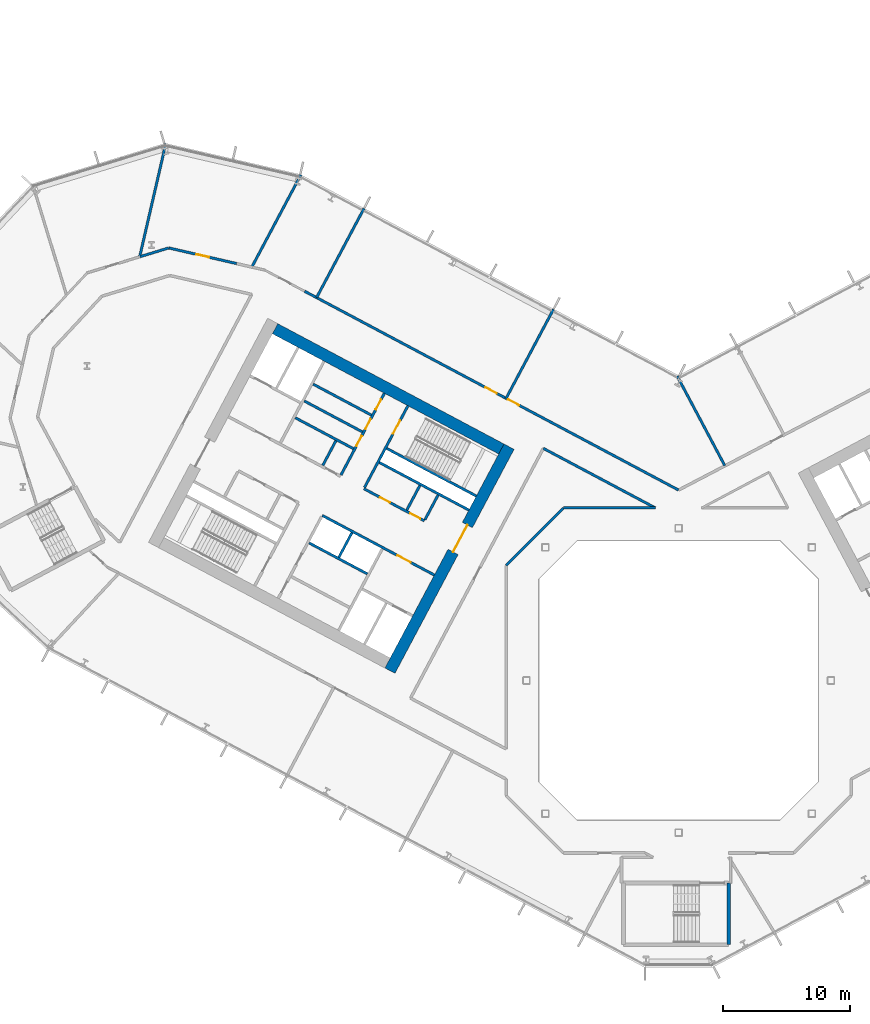
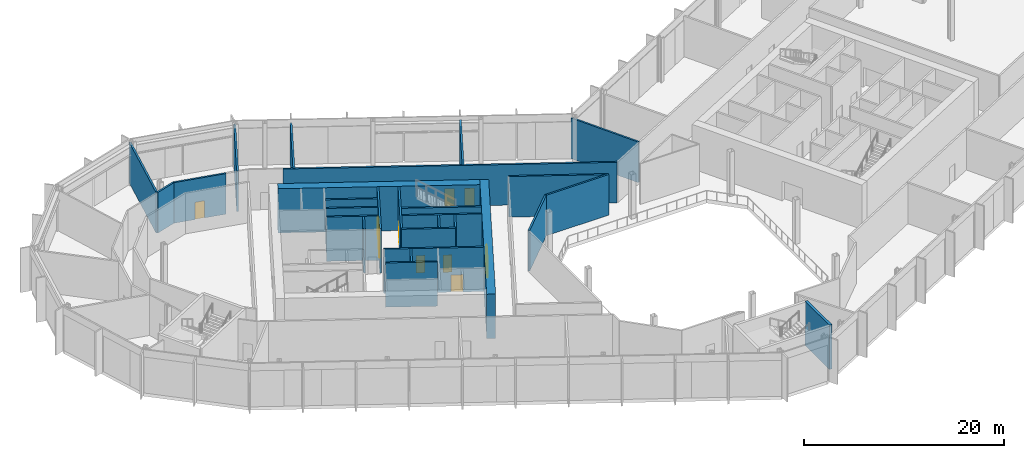
# One storey, part 14 of 31: 28 walls, 11 doors, 11 openings.
"""IFC4 building model written with IfcOpenShell, lengths in metres."""

from ifc_helpers import new_model, si_unit, direction, frame, frame_2d, origin, place, context, subcontext, project, spatial, rectangle, extrude, material, layer, layer_set, type_object, element, fill, save


model = new_model("IFC4")

# Units and contexts
model_context = context("Model", 3, precision=1e-05, world=origin(), true_north=direction((0.0, 1.0)))
body_context = subcontext(model_context, "Body", "Model", "MODEL_VIEW")
ifc_project = project(units=[si_unit("LENGTHUNIT", "METRE"), si_unit("AREAUNIT", "SQUARE_METRE"), si_unit("VOLUMEUNIT", "CUBIC_METRE"), si_unit("PLANEANGLEUNIT", "RADIAN"), si_unit("MASSUNIT", "GRAM", prefix="KILO")], contexts=[model_context])

# Site, building, storey
site_placement = place(None, origin())
site = spatial("IfcSite", under=ifc_project, at=site_placement, CompositionType="ELEMENT")
building_placement = place(site_placement, origin())
building = spatial("IfcBuilding", under=site, at=building_placement, Name="Cormorant Relay Tower", CompositionType="ELEMENT")
storey_placement = place(building_placement, frame((0.0, 0.0, 12.199951171875)))
storey = spatial("IfcBuildingStorey", under=building, at=storey_placement, Name="L02", CompositionType="ELEMENT", Elevation=12.199951171875)

# Walls
ifc_material_1 = material(Name="Concrete 40 MPa", Category="concrete")
ifc_layer_1 = layer(ifc_material_1, 0.199951171875)
ifc_layer_set_1 = layer_set([ifc_layer_1], Name="Core internal wall 200")
wall_type_1 = type_object("IfcWallType", Name="Core internal wall 200", PredefinedType="SOLIDWALL", material=ifc_layer_set_1)
wall_1_placement = place(storey_placement, frame((-20.39013671875, 15.371826171875, 0.0), z_axis=(0.0, 0.0, 1.0), x_axis=(-0.4694473164, -0.882960484464, 0.0)))
element("IfcWall", 1, at=wall_1_placement, inside=storey, type_object=wall_type_1, Name="L02 core A shaft and room wall", PredefinedType="SOLIDWALL", context=body_context, shape_type="SweptSolid", body=[
    extrude(rectangle(XDim=2.199951171875, YDim=0.199951171875, at=frame_2d((1.10009765625, 0.0))), origin(), (0.0, 0.0, 1.0), 5.400146484375),
])
wall_2_placement = place(storey_placement, frame((-25.744140625, 11.64990234375, 0.0), z_axis=(0.0, 0.0, 1.0), x_axis=(-0.469487830541, -0.882938942948, 0.0)))
element("IfcWall", 2, at=wall_2_placement, inside=storey, type_object=wall_type_1, Name="L02 core A shaft and room wall", PredefinedType="SOLIDWALL", context=body_context, shape_type="SweptSolid", body=[
    extrude(rectangle(XDim=2.2001953125, YDim=0.199951171875, at=frame_2d((1.10009765625, 0.0))), origin(), (0.0, 0.0, 1.0), 5.400146484375),
])
wall_3_placement = place(storey_placement, frame((-27.01220703125, 18.892822265625, 0.0), z_axis=(0.0, 0.0, 1.0), x_axis=(-0.4694473164, -0.882960484464, 0.0)))
element("IfcWall", 3, at=wall_3_placement, inside=storey, type_object=wall_type_1, Name="L02 core A shaft and room wall", PredefinedType="SOLIDWALL", context=body_context, shape_type="SweptSolid", body=[
    extrude(rectangle(XDim=2.199951171875, YDim=0.199951171875, at=frame_2d((1.10009765625, 0.0))), origin(), (0.0, 0.0, 1.0), 5.400146484375),
])
wall_4_placement = place(storey_placement, frame((-24.214599609375, 20.91650390625, 0.0), z_axis=(0.0, 0.0, 1.0), x_axis=(-0.882964314875, 0.469440111896, 0.0)))
element("IfcWall", 4, at=wall_4_placement, inside=storey, type_object=wall_type_1, Name="L02 core A shaft and room wall", PredefinedType="SOLIDWALL", context=body_context, shape_type="SweptSolid", body=[
    extrude(rectangle(XDim=5.2001953125, YDim=0.199951171875, at=frame_2d((2.60009765625, 0.0))), origin(), (0.0, 0.0, 1.0), 5.400146484375),
])
wall_5_placement = place(storey_placement, frame((-24.9189453125, 19.592041015625, 0.0), z_axis=(0.0, 0.0, 1.0), x_axis=(-0.882953967957, 0.469459572775, 0.0)))
element("IfcWall", 5, at=wall_5_placement, inside=storey, type_object=wall_type_1, Name="L02 core A shaft and room wall", PredefinedType="SOLIDWALL", context=body_context, shape_type="SweptSolid", body=[
    extrude(rectangle(XDim=5.199951171875, YDim=0.199951171875, at=frame_2d((2.60009765625, 0.0))), origin(), (0.0, 0.0, 1.0), 5.400146484375),
])
ifc_material_2 = material(Name="Concrete 50 MPa", Category="concrete")
ifc_layer_2 = layer(ifc_material_2, 0.199951171875)
ifc_layer_set_2 = layer_set([ifc_layer_2], Name="Core shaft wall 200")
wall_type_2 = type_object("IfcWallType", Name="Core shaft wall 200", PredefinedType="SHEAR", material=ifc_layer_set_2)
wall_6_placement = place(storey_placement, frame((-18.959716796875, 14.611328125, 0.0), z_axis=(0.0, 0.0, 1.0), x_axis=(-0.4694473164, -0.882960484464, 0.0)))
element("IfcWall", 6, at=wall_6_placement, inside=storey, type_object=wall_type_2, Name="L02 core A shaft wall", PredefinedType="SHEAR", context=body_context, shape_type="SweptSolid", body=[
    extrude(rectangle(XDim=2.199951171875, YDim=0.199951171875, at=frame_2d((1.10009765625, 0.0))), origin(), (0.0, 0.0, 1.0), 5.400146484375),
])

# Wall, opening, door
wall_7_placement = place(storey_placement, frame((-21.333251953125, 21.6494140625, 0.0), z_axis=(0.0, 0.0, 1.0), x_axis=(-0.469494272526, -0.882935517501, 0.0)))
wall_7 = element("IfcWall", 7, at=wall_7_placement, inside=storey, type_object=wall_type_2, Name="L02 core A shaft wall", PredefinedType="SHEAR", context=body_context, shape_type="SweptSolid", body=[
    extrude(rectangle(XDim=7.2998046875, YDim=0.199951171875, at=frame_2d((3.64990234375, 0.0))), origin(), (0.0, 0.0, 1.0), 5.400146484375),
])
opening_1_placement = place(wall_7_placement, frame((1.300048828125, 0.0, 0.0)))
opening_1 = element("IfcOpeningElement", 8, at=opening_1_placement, cuts=wall_7, Name="Opening CDB-019", PredefinedType="OPENING", context=body_context, shape_type="SweptSolid", body=[
    extrude(rectangle(XDim=1.199951171875, YDim=2.10009765625, at=frame_2d((0.60009765625, 1.050048828125))), frame((0.0, 0.10986328125, 0.0), z_axis=(0.0, -1.0, 0.0), x_axis=(1.0, 0.0, 0.0)), (0.0, 0.0, 1.0), 0.219970703125),
])
ifc_material_3 = material(Name="Steel fire door", Category="steel")
door_type_1 = type_object("IfcDoorType", Name="Core stair door 1200x2100", OperationType="SINGLE_SWING_LEFT", PredefinedType="DOOR", material=ifc_material_3)
door_1_placement = place(opening_1_placement, origin())
door_1 = element("IfcDoor", 9, at=door_1_placement, inside=storey, type_object=door_type_1, Name="Core stair door 1200x2100", OperationType="SINGLE_SWING_RIGHT", OverallHeight=2.10009765625, OverallWidth=1.199951171875, PredefinedType="DOOR", context=body_context, shape_type="SweptSolid", body=[
    extrude(rectangle(XDim=1.199951171875, YDim=2.10009765625, at=frame_2d((0.60009765625, 1.050048828125))), frame((0.0, 0.02490234375, 0.0), z_axis=(0.0, -1.0, 0.0), x_axis=(1.0, 0.0, 0.0)), (0.0, 0.0, 1.0), 0.050048828125),
])
fill(opening_1, door_1)

# Wall, openings, doors
wall_8_placement = place(storey_placement, frame((-23.1875, 22.635498046875, 0.0), z_axis=(0.0, 0.0, 1.0), x_axis=(-0.469454336211, -0.882956752176, 0.0)))
wall_8 = element("IfcWall", 10, at=wall_8_placement, inside=storey, type_object=wall_type_2, Name="L02 core A shaft wall", PredefinedType="SHEAR", context=body_context, shape_type="SweptSolid", body=[
    extrude(rectangle(XDim=7.300048828125, YDim=0.199951171875, at=frame_2d((3.64990234375, 0.0))), origin(), (0.0, 0.0, 1.0), 5.400146484375),
])
opening_2_placement = place(wall_8_placement, frame((0.550048828125, 0.0, 0.0)))
opening_2 = element("IfcOpeningElement", 11, at=opening_2_placement, cuts=wall_8, Name="Opening CDD-071", PredefinedType="OPENING", context=body_context, shape_type="SweptSolid", body=[
    extrude(rectangle(XDim=0.89990234375, YDim=2.10009765625, at=frame_2d((0.449951171875, 1.050048828125))), frame((0.0, 0.10986328125, 0.0), z_axis=(0.0, -1.0, 0.0), x_axis=(1.0, 0.0, 0.0)), (0.0, 0.0, 1.0), 0.219970703125),
])
opening_3_placement = place(wall_8_placement, frame((2.300048828125, 0.0, 0.0)))
opening_3 = element("IfcOpeningElement", 12, at=opening_3_placement, cuts=wall_8, Name="Opening CDD-072", PredefinedType="OPENING", context=body_context, shape_type="SweptSolid", body=[
    extrude(rectangle(XDim=0.89990234375, YDim=2.10009765625, at=frame_2d((0.449951171875, 1.050048828125))), frame((0.0, 0.10986328125, 0.0), z_axis=(0.0, -1.0, 0.0), x_axis=(1.0, 0.0, 0.0)), (0.0, 0.0, 1.0), 0.219970703125),
])
opening_4_placement = place(wall_8_placement, frame((3.800048828125, 0.0, 0.0)))
opening_4 = element("IfcOpeningElement", 13, at=opening_4_placement, cuts=wall_8, Name="Opening CDD-073", PredefinedType="OPENING", context=body_context, shape_type="SweptSolid", body=[
    extrude(rectangle(XDim=0.89990234375, YDim=2.10009765625, at=frame_2d((0.449951171875, 1.050048828125))), frame((0.0, 0.10986328125, 0.0), z_axis=(0.0, -1.0, 0.0), x_axis=(1.0, 0.0, 0.0)), (0.0, 0.0, 1.0), 0.219970703125),
])
ifc_material_4 = material(Name="Steel fire door", Category="steel")
door_type_2 = type_object("IfcDoorType", Name="Core room door 900x2100", OperationType="SINGLE_SWING_LEFT", PredefinedType="DOOR", material=ifc_material_4)
door_2_placement = place(opening_2_placement, origin())
door_2 = element("IfcDoor", 14, at=door_2_placement, inside=storey, type_object=door_type_2, Name="Core room door 900x2100", OperationType="SINGLE_SWING_LEFT", OverallHeight=2.10009765625, OverallWidth=0.89990234375, PredefinedType="DOOR", context=body_context, shape_type="SweptSolid", body=[
    extrude(rectangle(XDim=0.89990234375, YDim=2.10009765625, at=frame_2d((0.449951171875, 1.050048828125))), frame((0.0, 0.02490234375, 0.0), z_axis=(0.0, -1.0, 0.0), x_axis=(1.0, 0.0, 0.0)), (0.0, 0.0, 1.0), 0.050048828125),
])
fill(opening_2, door_2)
door_3_placement = place(opening_3_placement, origin())
door_3 = element("IfcDoor", 15, at=door_3_placement, inside=storey, type_object=door_type_2, Name="Core room door 900x2100", OperationType="SINGLE_SWING_LEFT", OverallHeight=2.10009765625, OverallWidth=0.89990234375, PredefinedType="DOOR", context=body_context, shape_type="SweptSolid", body=[
    extrude(rectangle(XDim=0.89990234375, YDim=2.10009765625, at=frame_2d((0.449951171875, 1.050048828125))), frame((0.0, 0.02490234375, 0.0), z_axis=(0.0, -1.0, 0.0), x_axis=(1.0, 0.0, 0.0)), (0.0, 0.0, 1.0), 0.050048828125),
])
fill(opening_3, door_3)
door_4_placement = place(opening_4_placement, frame((0.89990234375, 0.0, 0.0), z_axis=(0.0, 0.0, 1.0), x_axis=(-1.0, 0.0, 0.0)))
door_4 = element("IfcDoor", 16, at=door_4_placement, inside=storey, type_object=door_type_2, Name="Core room door 900x2100", OperationType="SINGLE_SWING_RIGHT", OverallHeight=2.10009765625, OverallWidth=0.89990234375, PredefinedType="DOOR", context=body_context, shape_type="SweptSolid", body=[
    extrude(rectangle(XDim=0.89990234375, YDim=2.10009765625, at=frame_2d((0.449951171875, 1.050048828125))), frame((0.0, 0.02490234375, 0.0), z_axis=(0.0, -1.0, 0.0), x_axis=(1.0, 0.0, 0.0)), (0.0, 0.0, 1.0), 0.050048828125),
])
fill(opening_4, door_4)

# Walls
wall_9_placement = place(storey_placement, frame((-15.94189453125, 14.53564453125, 0.0), z_axis=(0.0, 0.0, 1.0), x_axis=(-0.882946947542, 0.469472776449, 0.0)))
element("IfcWall", 17, at=wall_9_placement, inside=storey, type_object=wall_type_2, Name="L02 core A shaft wall", PredefinedType="SHEAR", context=body_context, shape_type="SweptSolid", body=[
    extrude(rectangle(XDim=8.000244140625, YDim=0.199951171875, at=frame_2d((4.0, 0.0))), origin(), (0.0, 0.0, 1.0), 5.400146484375),
])
wall_10_placement = place(storey_placement, frame((-16.52880859375, 13.43212890625, 0.0), z_axis=(0.0, 0.0, 1.0), x_axis=(-0.88295287151, 0.469461634952, 0.0)))
element("IfcWall", 18, at=wall_10_placement, inside=storey, type_object=wall_type_2, Name="L02 core A shaft wall", PredefinedType="SHEAR", context=body_context, shape_type="SweptSolid", body=[
    extrude(rectangle(XDim=7.999755859375, YDim=0.199951171875, at=frame_2d((4.0, 0.0))), origin(), (0.0, 0.0, 1.0), 5.400146484375),
])
wall_11_placement = place(storey_placement, frame((-25.623046875, 18.267578125, 0.0), z_axis=(0.0, 0.0, 1.0), x_axis=(-0.882953967957, 0.469459572775, 0.0)))
element("IfcWall", 19, at=wall_11_placement, inside=storey, type_object=wall_type_2, Name="L02 core A shaft wall", PredefinedType="SHEAR", context=body_context, shape_type="SweptSolid", body=[
    extrude(rectangle(XDim=5.199951171875, YDim=0.199951171875, at=frame_2d((2.60009765625, 0.0))), origin(), (0.0, 0.0, 1.0), 5.400146484375),
])

# Wall, openings, doors
wall_12_placement = place(storey_placement, frame((-20.03955078125, 12.58056640625, 0.0), z_axis=(0.0, 0.0, 1.0), x_axis=(-0.882942972946, 0.469480251476, 0.0)))
wall_12 = element("IfcWall", 20, at=wall_12_placement, inside=storey, type_object=wall_type_2, Name="L02 core A shaft wall", PredefinedType="SHEAR", context=body_context, shape_type="SweptSolid", body=[
    extrude(rectangle(XDim=5.39990234375, YDim=0.199951171875, at=frame_2d((2.699951171875, 0.0))), origin(), (0.0, 0.0, 1.0), 5.400146484375),
])
opening_5_placement = place(wall_12_placement, frame((0.360107421875, 0.0, 0.0)))
opening_5 = element("IfcOpeningElement", 21, at=opening_5_placement, cuts=wall_12, Name="Opening CDD-065", PredefinedType="OPENING", context=body_context, shape_type="SweptSolid", body=[
    extrude(rectangle(XDim=0.89990234375, YDim=2.10009765625, at=frame_2d((0.449951171875, 1.050048828125))), frame((0.0, 0.10986328125, 0.0), z_axis=(0.0, -1.0, 0.0), x_axis=(1.0, 0.0, 0.0)), (0.0, 0.0, 1.0), 0.219970703125),
])
opening_6_placement = place(wall_12_placement, frame((3.06005859375, 0.0, 0.0)))
opening_6 = element("IfcOpeningElement", 22, at=opening_6_placement, cuts=wall_12, Name="Opening CDD-066", PredefinedType="OPENING", context=body_context, shape_type="SweptSolid", body=[
    extrude(rectangle(XDim=0.89990234375, YDim=2.10009765625, at=frame_2d((0.449951171875, 1.050048828125))), frame((0.0, 0.10986328125, 0.0), z_axis=(0.0, -1.0, 0.0), x_axis=(1.0, 0.0, 0.0)), (0.0, 0.0, 1.0), 0.219970703125),
])
door_5_placement = place(opening_5_placement, frame((0.89990234375, 0.0, 0.0), z_axis=(0.0, 0.0, 1.0), x_axis=(-1.0, 0.0, 0.0)))
door_5 = element("IfcDoor", 23, at=door_5_placement, inside=storey, type_object=door_type_2, Name="Core room door 900x2100", OperationType="SINGLE_SWING_RIGHT", OverallHeight=2.10009765625, OverallWidth=0.89990234375, PredefinedType="DOOR", context=body_context, shape_type="SweptSolid", body=[
    extrude(rectangle(XDim=0.89990234375, YDim=2.10009765625, at=frame_2d((0.449951171875, 1.050048828125))), frame((0.0, 0.02490234375, 0.0), z_axis=(0.0, -1.0, 0.0), x_axis=(1.0, 0.0, 0.0)), (0.0, 0.0, 1.0), 0.050048828125),
])
fill(opening_5, door_5)
door_6_placement = place(opening_6_placement, frame((0.89990234375, 0.0, 0.0), z_axis=(0.0, 0.0, 1.0), x_axis=(-1.0, 0.0, 0.0)))
door_6 = element("IfcDoor", 24, at=door_6_placement, inside=storey, type_object=door_type_2, Name="Core room door 900x2100", OperationType="SINGLE_SWING_RIGHT", OverallHeight=2.10009765625, OverallWidth=0.89990234375, PredefinedType="DOOR", context=body_context, shape_type="SweptSolid", body=[
    extrude(rectangle(XDim=0.89990234375, YDim=2.10009765625, at=frame_2d((0.449951171875, 1.050048828125))), frame((0.0, 0.02490234375, 0.0), z_axis=(0.0, -1.0, 0.0), x_axis=(1.0, 0.0, 0.0)), (0.0, 0.0, 1.0), 0.050048828125),
])
fill(opening_6, door_6)

# Wall, opening, door
wall_13_placement = place(storey_placement, frame((-19.251708984375, 8.31103515625, 0.0), z_axis=(0.0, 0.0, 1.0), x_axis=(-0.882955722218, 0.469456273365, 0.0)))
wall_13 = element("IfcWall", 25, at=wall_13_placement, inside=storey, type_object=wall_type_2, Name="L02 core A shaft wall", PredefinedType="SHEAR", context=body_context, shape_type="SweptSolid", body=[
    extrude(rectangle(XDim=10.0, YDim=0.199951171875, at=frame_2d((5.0, 0.0))), origin(), (0.0, 0.0, 1.0), 5.400146484375),
])
opening_7_placement = place(wall_13_placement, frame((2.10009765625, 0.0, 0.0)))
opening_7 = element("IfcOpeningElement", 26, at=opening_7_placement, cuts=wall_13, Name="Opening CDC-013", PredefinedType="OPENING", context=body_context, shape_type="SweptSolid", body=[
    extrude(rectangle(XDim=1.199951171875, YDim=2.10009765625, at=frame_2d((0.60009765625, 1.050048828125))), frame((0.0, 0.10986328125, 0.0), z_axis=(0.0, -1.0, 0.0), x_axis=(1.0, 0.0, 0.0)), (0.0, 0.0, 1.0), 0.219970703125),
])
ifc_material_5 = material(Name="Steel fire door", Category="steel")
door_type_3 = type_object("IfcDoorType", Name="Core lobby door 1200x2100", OperationType="SINGLE_SWING_LEFT", PredefinedType="DOOR", material=ifc_material_5)
door_7_placement = place(opening_7_placement, origin())
door_7 = element("IfcDoor", 27, at=door_7_placement, inside=storey, type_object=door_type_3, Name="Core lobby door 1200x2100", OperationType="SINGLE_SWING_RIGHT", OverallHeight=2.10009765625, OverallWidth=1.199951171875, PredefinedType="DOOR", context=body_context, shape_type="SweptSolid", body=[
    extrude(rectangle(XDim=1.199951171875, YDim=2.10009765625, at=frame_2d((0.60009765625, 1.050048828125))), frame((0.0, 0.02490234375, 0.0), z_axis=(0.0, -1.0, 0.0), x_axis=(1.0, 0.0, 0.0)), (0.0, 0.0, 1.0), 0.050048828125),
])
fill(opening_7, door_7)

# Wall
wall_14_placement = place(storey_placement, frame((-24.5283203125, 8.3984375, 0.0), z_axis=(0.0, 0.0, 1.0), x_axis=(-0.882953967957, 0.469459572775, 0.0)))
element("IfcWall", 28, at=wall_14_placement, inside=storey, type_object=wall_type_2, Name="L02 core A shaft wall", PredefinedType="SHEAR", context=body_context, shape_type="SweptSolid", body=[
    extrude(rectangle(XDim=5.199951171875, YDim=0.199951171875, at=frame_2d((2.60009765625, 0.0))), origin(), (0.0, 0.0, 1.0), 5.400146484375),
])

# Wall, opening, door
ifc_material_6 = material(Name="Concrete 70 MPa", Category="concrete")
ifc_layer_3 = layer(ifc_material_6, 0.89990234375)
ifc_layer_set_3 = layer_set([ifc_layer_3], Name="Core wall 900")
wall_type_3 = type_object("IfcWallType", Name="Core wall 900", PredefinedType="SHEAR", material=ifc_layer_set_3)
wall_15_placement = place(storey_placement, frame((-13.361572265625, 18.43017578125, 0.0), z_axis=(0.0, 0.0, 1.0), x_axis=(-0.46947084998, -0.882947971864, 0.0)))
wall_15 = element("IfcWall", 29, at=wall_15_placement, inside=storey, type_object=wall_type_3, Name="L02 core A wall", PredefinedType="SHEAR", context=body_context, shape_type="SweptSolid", body=[
    extrude(rectangle(XDim=20.0, YDim=0.89990234375, at=frame_2d((10.0, 0.0))), origin(), (0.0, 0.0, 1.0), 5.400146484375),
])
opening_8_placement = place(wall_15_placement, frame((7.0, 0.0, 0.0)))
opening_8 = element("IfcOpeningElement", 30, at=opening_8_placement, cuts=wall_15, Name="Opening CDA-013", PredefinedType="OPENING", context=body_context, shape_type="SweptSolid", body=[
    extrude(rectangle(XDim=2.39990234375, YDim=2.39990234375, at=frame_2d((1.199951171875, 1.199951171875))), frame((0.0, 0.4599609375, 0.0), z_axis=(0.0, -1.0, 0.0), x_axis=(1.0, 0.0, 0.0)), (0.0, 0.0, 1.0), 0.919921875),
])
ifc_material_7 = material(Name="Steel fire door", Category="steel")
door_type_4 = type_object("IfcDoorType", Name="Core lobby door 2400x2400", OperationType="DOUBLE_DOOR_SINGLE_SWING", PredefinedType="DOOR", material=ifc_material_7)
door_8_placement = place(opening_8_placement, frame((2.39990234375, 0.0, 0.0), z_axis=(0.0, 0.0, 1.0), x_axis=(-1.0, 0.0, 0.0)))
door_8 = element("IfcDoor", 31, at=door_8_placement, inside=storey, type_object=door_type_4, Name="Core lobby door 2400x2400", OperationType="DOUBLE_DOOR_SINGLE_SWING", OverallHeight=2.39990234375, OverallWidth=2.39990234375, PredefinedType="DOOR", context=body_context, shape_type="SweptSolid", body=[
    extrude(rectangle(XDim=2.39990234375, YDim=2.39990234375, at=frame_2d((1.199951171875, 1.199951171875))), frame((0.0, 0.02490234375, 0.0), z_axis=(0.0, -1.0, 0.0), x_axis=(1.0, 0.0, 0.0)), (0.0, 0.0, 1.0), 0.050048828125),
])
fill(opening_8, door_8)

# Walls
wall_16_placement = place(storey_placement, frame((-13.97021484375, 18.244140625, 0.0), z_axis=(0.0, 0.0, 1.0), x_axis=(-0.88294509198, 0.469476266226, 0.0)))
element("IfcWall", 32, at=wall_16_placement, inside=storey, type_object=wall_type_3, Name="L02 core A wall", PredefinedType="SHEAR", context=body_context, shape_type="SweptSolid", body=[
    extrude(rectangle(XDim=20.199951171875, YDim=0.89990234375, at=frame_2d((10.10009765625, 0.0))), origin(), (0.0, 0.0, 1.0), 5.400146484375),
])
ifc_material_8 = material(Name="Fire-rated gypsum board partition")
ifc_layer_4 = layer(ifc_material_8, 0.199951171875)
ifc_layer_set_4 = layer_set([ifc_layer_4], Name="Fire-rated gypsum partition 200")
wall_type_4 = type_object("IfcWallType", Name="Fire-rated gypsum partition 200", PredefinedType="PARTITIONING", material=ifc_layer_set_4)
wall_17_placement = place(storey_placement, frame((-40.4189453125, 42.31494140625, 0.0), z_axis=(0.0, 0.0, 1.0), x_axis=(-0.225003617867, -0.974357928046, 0.0)))
element("IfcWall", 33, at=wall_17_placement, inside=storey, type_object=wall_type_4, Name="wall/L02/part/25", PredefinedType="PARTITIONING", context=body_context, shape_type="SweptSolid", body=[
    extrude(rectangle(XDim=9.15576171875, YDim=0.199951171875, at=frame_2d((4.577880859375, 0.0))), origin(), (0.0, 0.0, 1.0), 4.949951171875),
])
wall_18_placement = place(storey_placement, frame((-40.18505859375, 34.094970703125, 0.0), z_axis=(0.0, 0.0, 1.0), x_axis=(-0.956334756987, -0.292273557781, 0.0)))
element("IfcWall", 34, at=wall_18_placement, inside=storey, type_object=wall_type_4, Name="wall/L02/part/26", PredefinedType="PARTITIONING", context=body_context, shape_type="SweptSolid", body=[
    extrude(rectangle(XDim=2.3671875, YDim=0.199951171875, at=frame_2d((1.18359375, 0.0))), origin(), (0.0, 0.0, 1.0), 4.949951171875),
])

# Wall, opening, door
wall_19_placement = place(storey_placement, frame((-40.18603515625, 34.094970703125, 0.0), z_axis=(0.0, 0.0, 1.0), x_axis=(0.974351478487, -0.225031545278, 0.0)))
wall_19 = element("IfcWall", 35, at=wall_19_placement, inside=storey, type_object=wall_type_4, Name="wall/L02/part/27", PredefinedType="PARTITIONING", context=body_context, shape_type="SweptSolid", body=[
    extrude(rectangle(XDim=5.492919921875, YDim=0.199951171875, at=frame_2d((2.74658203125, 0.0))), origin(), (0.0, 0.0, 1.0), 4.949951171875),
])
opening_9_placement = place(wall_19_placement, frame((2.25, 0.0, 0.0)))
opening_9 = element("IfcOpeningElement", 36, at=opening_9_placement, cuts=wall_19, Name="Opening FD1-015", PredefinedType="OPENING", context=body_context, shape_type="SweptSolid", body=[
    extrude(rectangle(XDim=1.0, YDim=2.10009765625, at=frame_2d((0.5, 1.050048828125))), frame((0.0, 0.10986328125, 0.0), z_axis=(0.0, -1.0, 0.0), x_axis=(1.0, 0.0, 0.0)), (0.0, 0.0, 1.0), 0.219970703125),
])
ifc_material_9 = material(Name="Fire-rated steel door", Category="steel")
door_type_5 = type_object("IfcDoorType", Name="Fire door 1000 x 2100", OperationType="SINGLE_SWING_LEFT", PredefinedType="DOOR", material=ifc_material_9)
door_9_placement = place(opening_9_placement, origin())
door_9 = element("IfcDoor", 37, at=door_9_placement, inside=storey, type_object=door_type_5, Name="door/L02/15", OperationType="SINGLE_SWING_RIGHT", OverallHeight=2.10009765625, OverallWidth=1.0, PredefinedType="DOOR", context=body_context, shape_type="SweptSolid", body=[
    extrude(rectangle(XDim=1.0, YDim=2.10009765625, at=frame_2d((0.5, 1.050048828125))), frame((0.0, 0.02490234375, 0.0), z_axis=(0.0, -1.0, 0.0), x_axis=(1.0, 0.0, 0.0)), (0.0, 0.0, 1.0), 0.050048828125),
])
fill(opening_9, door_9)

# Wall
wall_20_placement = place(storey_placement, frame((-29.779052734375, 39.845947265625, 0.0), z_axis=(0.0, 0.0, 1.0), x_axis=(-0.469432289294, -0.882968473824, 0.0)))
element("IfcWall", 38, at=wall_20_placement, inside=storey, type_object=wall_type_4, Name="wall/L02/part/29", PredefinedType="PARTITIONING", context=body_context, shape_type="SweptSolid", body=[
    extrude(rectangle(XDim=8.224365234375, YDim=0.199951171875, at=frame_2d((4.1123046875, 0.0))), origin(), (0.0, 0.0, 1.0), 4.949951171875),
])

# Wall, openings, doors
wall_21_placement = place(storey_placement, frame((-29.47900390625, 30.680908203125, 0.0), z_axis=(0.0, 0.0, 1.0), x_axis=(0.882953009593, -0.469461375249, 0.0)))
wall_21 = element("IfcWall", 39, at=wall_21_placement, inside=storey, type_object=wall_type_4, Name="wall/L02/part/33", PredefinedType="PARTITIONING", context=body_context, shape_type="SweptSolid", body=[
    extrude(rectangle(XDim=33.38671875, YDim=0.199951171875, at=frame_2d((16.693359375, 0.0))), origin(), (0.0, 0.0, 1.0), 4.949951171875),
])
opening_10_placement = place(wall_21_placement, frame((18.14990234375, 0.0, 0.0)))
opening_10 = element("IfcOpeningElement", 40, at=opening_10_placement, cuts=wall_21, Name="Opening FD1-013", PredefinedType="OPENING", context=body_context, shape_type="SweptSolid", body=[
    extrude(rectangle(XDim=1.0, YDim=2.10009765625, at=frame_2d((0.5, 1.050048828125))), frame((0.0, 0.10986328125, 0.0), z_axis=(0.0, -1.0, 0.0), x_axis=(1.0, 0.0, 0.0)), (0.0, 0.0, 1.0), 0.219970703125),
])
opening_11_placement = place(wall_21_placement, frame((16.14990234375, 0.0, 0.0)))
opening_11 = element("IfcOpeningElement", 41, at=opening_11_placement, cuts=wall_21, Name="Opening FD1-014", PredefinedType="OPENING", context=body_context, shape_type="SweptSolid", body=[
    extrude(rectangle(XDim=1.0, YDim=2.10009765625, at=frame_2d((0.5, 1.050048828125))), frame((0.0, 0.10986328125, 0.0), z_axis=(0.0, -1.0, 0.0), x_axis=(1.0, 0.0, 0.0)), (0.0, 0.0, 1.0), 0.219970703125),
])
door_10_placement = place(opening_10_placement, origin())
door_10 = element("IfcDoor", 42, at=door_10_placement, inside=storey, type_object=door_type_5, Name="door/L02/12", OperationType="SINGLE_SWING_LEFT", OverallHeight=2.10009765625, OverallWidth=1.0, PredefinedType="DOOR", context=body_context, shape_type="SweptSolid", body=[
    extrude(rectangle(XDim=1.0, YDim=2.10009765625, at=frame_2d((0.5, 1.050048828125))), frame((0.0, 0.02490234375, 0.0), z_axis=(0.0, -1.0, 0.0), x_axis=(1.0, 0.0, 0.0)), (0.0, 0.0, 1.0), 0.050048828125),
])
fill(opening_10, door_10)
door_11_placement = place(opening_11_placement, origin())
door_11 = element("IfcDoor", 43, at=door_11_placement, inside=storey, type_object=door_type_5, Name="door/L02/13", OperationType="SINGLE_SWING_RIGHT", OverallHeight=2.10009765625, OverallWidth=1.0, PredefinedType="DOOR", context=body_context, shape_type="SweptSolid", body=[
    extrude(rectangle(XDim=1.0, YDim=2.10009765625, at=frame_2d((0.5, 1.050048828125))), frame((0.0, 0.02490234375, 0.0), z_axis=(0.0, -1.0, 0.0), x_axis=(1.0, 0.0, 0.0)), (0.0, 0.0, 1.0), 0.050048828125),
])
fill(opening_11, door_11)

# Walls
wall_22_placement = place(storey_placement, frame((-24.800048828125, 37.197021484375, 0.0), z_axis=(0.0, 0.0, 1.0), x_axis=(-0.469551855795, -0.882904895625, 0.0)))
element("IfcWall", 44, at=wall_22_placement, inside=storey, type_object=wall_type_4, Name="wall/L02/part/35", PredefinedType="PARTITIONING", context=body_context, shape_type="SweptSolid", body=[
    extrude(rectangle(XDim=7.949951171875, YDim=0.199951171875, at=frame_2d((3.97509765625, 0.0))), origin(), (0.0, 0.0, 1.0), 4.949951171875),
])
wall_23_placement = place(storey_placement, frame((-9.864013671875, 29.2548828125, 0.0), z_axis=(0.0, 0.0, 1.0), x_axis=(-0.469468822461, -0.88294904991, 0.0)))
element("IfcWall", 45, at=wall_23_placement, inside=storey, type_object=wall_type_4, Name="wall/L02/part/36", PredefinedType="PARTITIONING", context=body_context, shape_type="SweptSolid", body=[
    extrude(rectangle(XDim=7.94921875, YDim=0.199951171875, at=frame_2d((3.974609375, 0.0))), origin(), (0.0, 0.0, 1.0), 4.949951171875),
])
wall_24_placement = place(storey_placement, frame((-0.10498046875, 23.98388671875, 0.0), z_axis=(0.0, 0.0, 1.0), x_axis=(0.469381988783, -0.882995214373, 0.0)))
element("IfcWall", 46, at=wall_24_placement, inside=storey, type_object=wall_type_4, Name="wall/L02/part/38", PredefinedType="PARTITIONING", context=body_context, shape_type="SweptSolid", body=[
    extrude(rectangle(XDim=7.976318359375, YDim=0.199951171875, at=frame_2d((3.98828125, 0.0))), origin(), (0.0, 0.0, 1.0), 4.949951171875),
])
wall_25_placement = place(storey_placement, frame((-10.657958984375, 18.294921875, 0.0), z_axis=(0.0, 0.0, 1.0), x_axis=(0.88295636352, -0.4694550672, 0.0)))
element("IfcWall", 47, at=wall_25_placement, inside=storey, type_object=wall_type_4, Name="wall/L02/part/76", PredefinedType="PARTITIONING", context=body_context, shape_type="SweptSolid", body=[
    extrude(rectangle(XDim=10.00048828125, YDim=0.199951171875, at=frame_2d((5.000244140625, 0.0))), origin(), (0.0, 0.0, 1.0), 4.949951171875),
])
wall_26_placement = place(storey_placement, frame((-1.827880859375, 13.60009765625, 0.0), z_axis=(0.0, 0.0, 1.0), x_axis=(-1.0, 0.0, 0.0)))
element("IfcWall", 48, at=wall_26_placement, inside=storey, type_object=wall_type_4, Name="wall/L02/part/77", PredefinedType="PARTITIONING", context=body_context, shape_type="SweptSolid", body=[
    extrude(rectangle(XDim=7.2490234375, YDim=0.199951171875, at=frame_2d((3.62451171875, 0.0))), origin(), (0.0, 0.0, 1.0), 4.949951171875),
])
wall_27_placement = place(storey_placement, frame((-9.076904296875, 13.60009765625, 0.0), z_axis=(0.0, 0.0, 1.0), x_axis=(-0.707106781187, -0.707106781187, 0.0)))
element("IfcWall", 49, at=wall_27_placement, inside=storey, type_object=wall_type_4, Name="wall/L02/part/78", PredefinedType="PARTITIONING", context=body_context, shape_type="SweptSolid", body=[
    extrude(rectangle(XDim=6.396728515625, YDim=0.199951171875, at=frame_2d((3.1982421875, 0.0))), origin(), (0.0, 0.0, 1.0), 4.949951171875),
])
ifc_material_10 = material(Name="Concrete 50 MPa", Category="concrete")
ifc_layer_5 = layer(ifc_material_10, 0.300048828125)
ifc_layer_set_5 = layer_set([ifc_layer_5], Name="Remote stair wall 300")
wall_type_5 = type_object("IfcWallType", Name="Remote stair wall 300", PredefinedType="SHEAR", material=ifc_layer_set_5)
wall_28_placement = place(storey_placement, frame((3.949951171875, -15.97509765625, 0.0), z_axis=(0.0, 0.0, 1.0), x_axis=(0.0, -1.0, 0.0)))
element("IfcWall", 50, at=wall_28_placement, inside=storey, type_object=wall_type_5, Name="L02 exit stair RK1 wall", PredefinedType="SHEAR", context=body_context, shape_type="SweptSolid", body=[
    extrude(rectangle(XDim=4.849853515625, YDim=0.300048828125, at=frame_2d((2.4248046875, 0.0))), origin(), (0.0, 0.0, 1.0), 5.400146484375),
])

save(model, "model.ifc")
